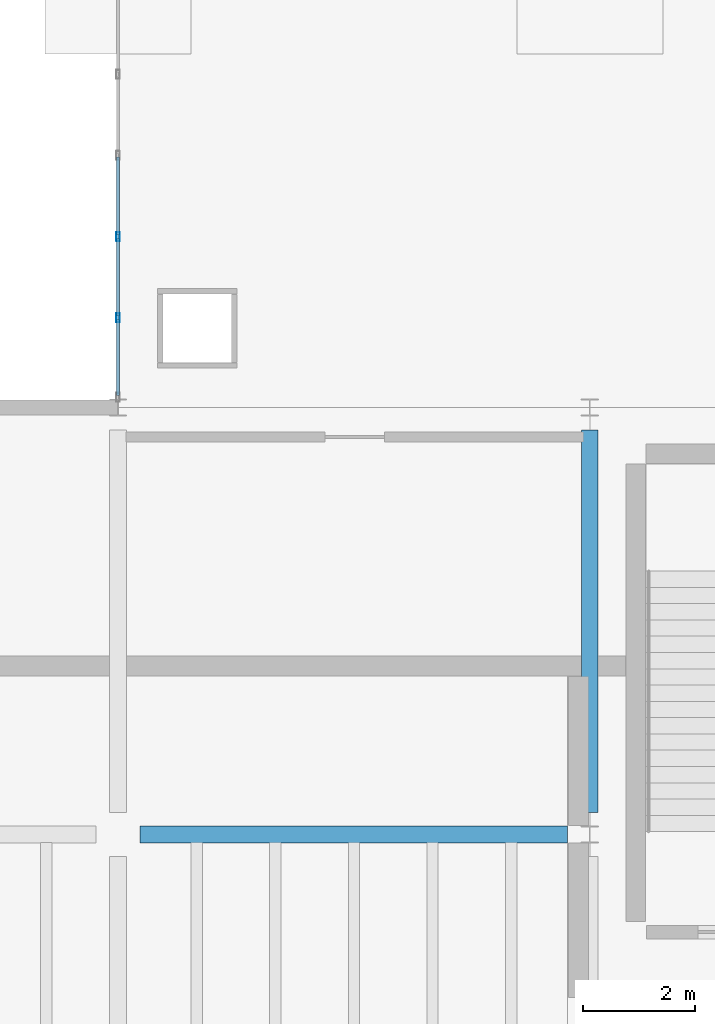
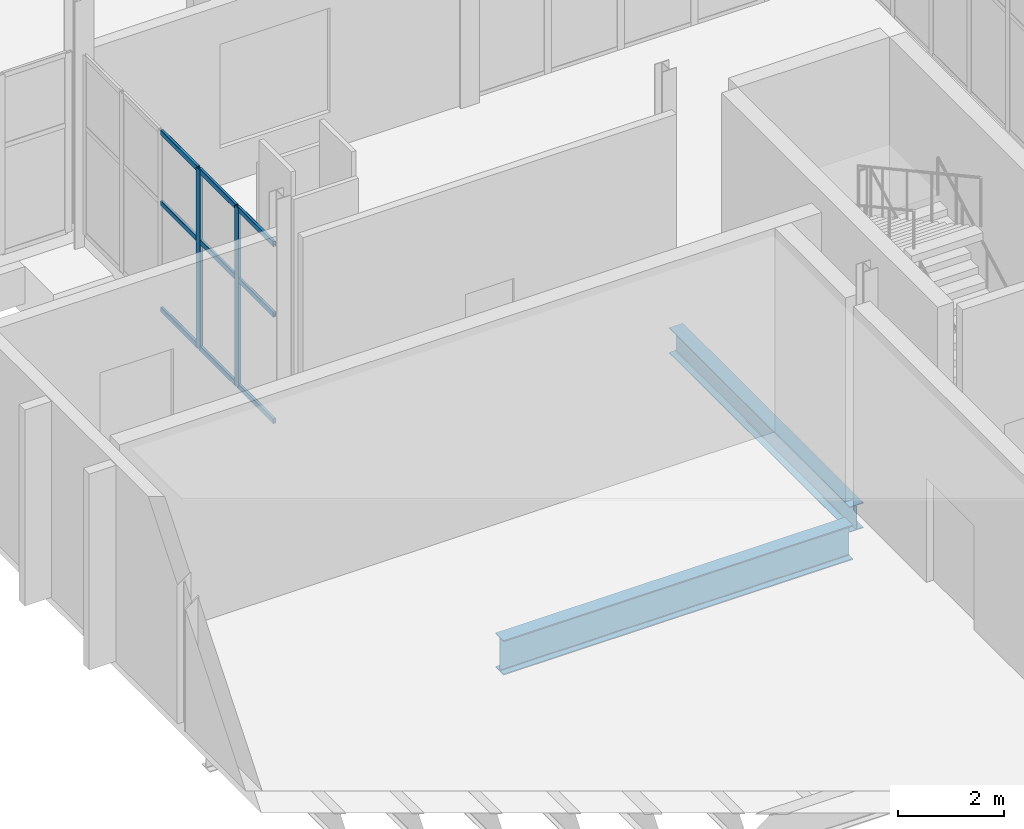
# One storey, part 23 of 95: 11 members, 2 beams, 1 element without a shape of its own.
"""IFC4 building model written with IfcOpenShell, lengths in metres."""

import ifcopenshell
import ifcopenshell.guid

model = None  # the IFC model being written
_history = None  # IfcOwnerHistory: only IFC2X3 demands one
_inside = {}  # id of a spatial element -> (the spatial element, [elements in it])
_under = {}  # id of a project, library or spatial element -> (it, [spatial elements below it])
_declared = {}  # id of a project -> (the project, [libraries it declares])
_typed = {}  # id of a type object -> (the type object, [elements of that type])
_made_of = {}  # id of a material, layer set ... -> (it, [elements and type objects made of it])


def new_model(schema):
    """Start an empty IFC model of exactly this schema.

    Asked for "IFC4X3", IfcOpenShell would pick the latest addendum, in which some entities
    have other attributes; the version numbers below select the first issue.
    IFC2X3 requires an IfcOwnerHistory on every rooted entity: one is made here for all.
    """
    global model, _history
    if schema == "IFC4X3":
        model = ifcopenshell.file(schema_version=(4, 3, 0, 0))
    else:
        model = ifcopenshell.file(schema=schema)
    _inside.clear()
    _under.clear()
    _declared.clear()
    _typed.clear()
    _made_of.clear()
    _history = None
    if model.schema == "IFC2X3":
        org = make("IfcOrganization", Name="unknown")
        user = make(
            "IfcPersonAndOrganization",
            ThePerson=make("IfcPerson", FamilyName="unknown"),
            TheOrganization=org,
        )
        app = make(
            "IfcApplication",
            ApplicationDeveloper=org,
            Version="unknown",
            ApplicationFullName="unknown",
            ApplicationIdentifier="unknown",
        )
        _history = make(
            "IfcOwnerHistory",
            OwningUser=user,
            OwningApplication=app,
            ChangeAction="ADDED",
            CreationDate=0,
        )
    return model


def make(cls, **values):
    """One entity of the class cls with the attributes given. An attribute that is None is left unset."""
    return model.create_entity(
        cls, **{name: value for name, value in values.items() if value is not None}
    )


def rooted(cls, **values):
    """An entity with a GlobalId (a new one), such as an element, a storey or a relation."""
    return make(cls, GlobalId=ifcopenshell.guid.new(), OwnerHistory=_history, **values)


def si_unit(unit_type, name, prefix=None):
    """IfcSIUnit, for example si_unit("LENGTHUNIT", "METRE", prefix="MILLI")."""
    return make("IfcSIUnit", UnitType=unit_type, Prefix=prefix, Name=name)


def assignment(units):
    """IfcUnitAssignment: the units of a project."""
    return None if units is None else make("IfcUnitAssignment", Units=units)


def point(xyz):
    """IfcCartesianPoint."""
    return None if xyz is None else make("IfcCartesianPoint", Coordinates=xyz)


def direction(xyz):
    """IfcDirection."""
    return None if xyz is None else make("IfcDirection", DirectionRatios=xyz)


def frame(location, z_axis=None, x_axis=None):
    """IfcAxis2Placement3D, a coordinate frame: its origin and axes. An axis left out is left unset."""
    return make(
        "IfcAxis2Placement3D",
        Location=point(location),
        Axis=direction(z_axis),
        RefDirection=direction(x_axis),
    )


def frame_2d(location, x_axis=None):
    """IfcAxis2Placement2D, a coordinate frame in the plane: its origin and x axis."""
    return make(
        "IfcAxis2Placement2D", Location=point(location), RefDirection=direction(x_axis)
    )


def origin():
    """The frame at (0, 0, 0) with its axes left unset."""
    return frame((0.0, 0.0, 0.0))


def origin_2d():
    """The frame at (0, 0) in the plane with its x axis left unset."""
    return frame_2d((0.0, 0.0))


def place(relative_to, where):
    """IfcLocalPlacement: puts the frame where relative to a parent placement (None: the world)."""
    return make(
        "IfcLocalPlacement", PlacementRelTo=relative_to, RelativePlacement=where
    )


def context(
    kind, dimensions, precision=None, world=None, true_north=None, identifier=None
):
    """IfcGeometricRepresentationContext, for example the 3D "Model" context."""
    return make(
        "IfcGeometricRepresentationContext",
        ContextIdentifier=identifier,
        ContextType=kind,
        CoordinateSpaceDimension=dimensions,
        Precision=precision,
        WorldCoordinateSystem=world,
        TrueNorth=true_north,
    )


def subcontext(parent, identifier, kind, view, scale=None):
    """IfcGeometricRepresentationSubContext, for example "Body" below "Model"."""
    return make(
        "IfcGeometricRepresentationSubContext",
        ContextIdentifier=identifier,
        ContextType=kind,
        ParentContext=parent,
        TargetScale=scale,
        TargetView=view,
    )


def project(units=None, contexts=None):
    """IfcProject with its units and contexts."""
    return rooted(
        "IfcProject",
        Name="project",
        RepresentationContexts=contexts,
        UnitsInContext=assignment(units),
    )


def spatial(cls, under=None, at=None, **own):
    """A site, building, storey or space (cls), placed at a placement, below another one or the project."""
    s = rooted(cls, ObjectPlacement=at, **own)
    if under is not None:
        _under.setdefault(under.id(), (under, []))[1].append(s)
    return s


def profile(cls, at=None, kind="AREA", **sizes):
    """A parametric profile (cls). Its sizes go by their IFC names, for example OverallWidth=200.0."""
    return make(cls, ProfileType=kind, Position=at, **sizes)


def hollow_rectangle(**sizes):
    """IfcRectangleHollowProfileDef."""
    return profile("IfcRectangleHollowProfileDef", **sizes)


def i_section(**sizes):
    """IfcIShapeProfileDef."""
    return profile("IfcIShapeProfileDef", **sizes)


def extrude(swept, where, along, depth):
    """IfcExtrudedAreaSolid: the profile swept, set in the frame where, extruded along a direction by depth."""
    return make(
        "IfcExtrudedAreaSolid",
        SweptArea=swept,
        Position=where,
        ExtrudedDirection=direction(along),
        Depth=depth,
    )


def shape(context_of_items, identifier, shape_type, items):
    """IfcShapeRepresentation: the items that make up one representation, for example the "Body"."""
    return make(
        "IfcShapeRepresentation",
        ContextOfItems=context_of_items,
        RepresentationIdentifier=identifier,
        RepresentationType=shape_type,
        Items=items,
    )


def material(Name=None, Category=None):
    """IfcMaterial."""
    return make("IfcMaterial", Name=Name, Category=Category)


def material_profile(
    of_material, cross_section, Name=None, Category=None, Priority=None
):
    """IfcMaterialProfile: a cross section and its material."""
    return make(
        "IfcMaterialProfile",
        Name=Name,
        Material=of_material,
        Profile=cross_section,
        Priority=Priority,
        Category=Category,
    )


def profile_set(profiles, Name=None, composite=None):
    """IfcMaterialProfileSet."""
    return make(
        "IfcMaterialProfileSet",
        Name=Name,
        MaterialProfiles=profiles,
        CompositeProfile=composite,
    )


def made_of(thing, what):
    """Note that an element or type object is made of a material, layer set ...; save() writes the relation."""
    if what is not None:
        _made_of.setdefault(what.id(), (what, []))[1].append(thing)
    return thing


def type_object(cls, material=None, **own):
    """A type object (cls), such as IfcWallType, which elements share."""
    return made_of(rooted(cls, **own), material)


def element(
    cls,
    number,
    at=None,
    inside=None,
    cuts=None,
    type_object=None,
    material=None,
    context=None,
    identifier="Body",
    shape_type=None,
    held_by="IfcProductDefinitionShape",
    body=None,
    shapes=None,
    **own,
):
    """One element of the class cls, such as IfcWall. Its Tag is "e" and its number.

    at: its placement. inside: the storey or other place that contains it. cuts: it is an
    opening in that element (IfcRelVoidsElement). A single representation is given by context,
    identifier, shape_type and body (its items); several are given by shapes. held_by: the class
    of the entity that holds the representations. save() writes the other relations.
    """
    e = rooted(cls, Tag="e%d" % number, ObjectPlacement=at, **own)
    if body is not None:
        shapes = [shape(context, identifier, shape_type, body)]
    if shapes is not None:
        e.Representation = make(held_by, Representations=shapes)
    if inside is not None:
        _inside.setdefault(inside.id(), (inside, []))[1].append(e)
    if cuts is not None:
        rooted(
            "IfcRelVoidsElement", RelatingBuildingElement=cuts, RelatedOpeningElement=e
        )
    if type_object is not None:
        _typed.setdefault(type_object.id(), (type_object, []))[1].append(e)
    return made_of(e, material)


def aggregate(whole, parts):
    """IfcRelAggregates: a whole, such as a stair, and the parts it consists of."""
    return rooted("IfcRelAggregates", RelatingObject=whole, RelatedObjects=parts)


def save(model, path):
    """Write the relations noted so far, then the file.

    IfcRelAggregates (storeys below a building ...), IfcRelContainedInSpatialStructure (elements
    in a storey), IfcRelDefinesByType, IfcRelAssociatesMaterial and IfcRelDeclares: one each for
    every whole, place, type object, material and project.
    """
    for whole, parts in _under.values():
        aggregate(whole, parts)
    for where, things in _inside.values():
        rooted(
            "IfcRelContainedInSpatialStructure",
            RelatedElements=things,
            RelatingStructure=where,
        )
    for kind, things in _typed.values():
        rooted("IfcRelDefinesByType", RelatedObjects=things, RelatingType=kind)
    for what, things in _made_of.values():
        rooted("IfcRelAssociatesMaterial", RelatedObjects=things, RelatingMaterial=what)
    for by, libraries in _declared.values():
        rooted("IfcRelDeclares", RelatingContext=by, RelatedDefinitions=libraries)
    model.write(path)


model = new_model("IFC4")

# Units and contexts
model_context = context("Model", 3, precision=1e-05, world=origin(), true_north=direction((0.0, 1.0)))
body_context = subcontext(model_context, "Body", "Model", "MODEL_VIEW")
ifc_project = project(units=[si_unit("LENGTHUNIT", "METRE"), si_unit("AREAUNIT", "SQUARE_METRE"), si_unit("VOLUMEUNIT", "CUBIC_METRE"), si_unit("PLANEANGLEUNIT", "RADIAN"), si_unit("MASSUNIT", "GRAM", prefix="KILO")], contexts=[model_context])

# Site, building, storey
site_placement = place(None, origin())
site = spatial("IfcSite", under=ifc_project, at=site_placement, CompositionType="ELEMENT")
building_placement = place(site_placement, origin())
building = spatial("IfcBuilding", under=site, at=building_placement, Name="Shengluoqiao Park Theatre", CompositionType="ELEMENT")
storey_placement = place(building_placement, origin())
storey = spatial("IfcBuildingStorey", under=building, at=storey_placement, Name="L00", CompositionType="ELEMENT", Elevation=0.0)

# Curtain wall, members
ifc_material_1 = material(Name="Aluminium 6063-T6", Category="aluminium")
curtain_wall_type = type_object("IfcCurtainWallType", Name="ENV-CW-COURT", PredefinedType="NOTDEFINED", material=ifc_material_1)
curtain_wall_placement = place(storey_placement, origin())
curtain_wall = element("IfcCurtainWall", 1, at=curtain_wall_placement, inside=storey, type_object=curtain_wall_type, Name="L00 Curtain Wall CWX-L00-0153", PredefinedType="NOTDEFINED")
ifc_material_profile_1 = material_profile(ifc_material_1, hollow_rectangle(XDim=0.06005859375, YDim=0.159912109375, WallThickness=0.00390625, InnerFilletRadius=0.00390625, OuterFilletRadius=0.008056640625, at=origin_2d()), Name="ALU MULLION 160x60x4")
ifc_profile_set_1 = profile_set([ifc_material_profile_1], Name="Aluminium 6063-T6")
member_type_1 = type_object("IfcMemberType", Name="ENV-MUL-160", PredefinedType="MULLION", material=ifc_profile_set_1)
member_1_placement = place(storey_placement, frame((19.199951171875, 24.399658203125, 0.0), z_axis=(0.0, 0.0, 1.0), x_axis=(-1.0, 0.0, 0.0)))
member_1 = element("IfcMember", 2, at=member_1_placement, type_object=member_type_1, Name="CW-05 mullion 2", PredefinedType="MULLION", context=body_context, shape_type="SweptSolid", body=[
    extrude(hollow_rectangle(XDim=0.06005859375, YDim=0.159912109375, WallThickness=0.00390625, InnerFilletRadius=0.00390625, OuterFilletRadius=0.008056640625, at=origin_2d()), origin(), (0.0, 0.0, 1.0), 4.137939453125),
])
member_2_placement = place(storey_placement, frame((19.199951171875, 25.84521484375, 0.0), z_axis=(0.0, 0.0, 1.0), x_axis=(-1.0, 0.0, 0.0)))
member_2 = element("IfcMember", 3, at=member_2_placement, type_object=member_type_1, Name="CW-05 mullion 3", PredefinedType="MULLION", context=body_context, shape_type="SweptSolid", body=[
    extrude(hollow_rectangle(XDim=0.06005859375, YDim=0.159912109375, WallThickness=0.00390625, InnerFilletRadius=0.00390625, OuterFilletRadius=0.008056640625, at=origin_2d()), origin(), (0.0, 0.0, 1.0), 4.137939453125),
])
ifc_material_profile_2 = material_profile(ifc_material_1, hollow_rectangle(XDim=0.06005859375, YDim=0.1201171875, WallThickness=0.00390625, InnerFilletRadius=0.00390625, OuterFilletRadius=0.008056640625, at=origin_2d()), Name="ALU TRANSOM 120x60x4")
ifc_profile_set_2 = profile_set([ifc_material_profile_2], Name="Aluminium 6063-T6")
member_type_2 = type_object("IfcMemberType", Name="ENV-TRN-120", PredefinedType="USERDEFINED", material=ifc_profile_set_2)
member_3_placement = place(storey_placement, frame((19.199951171875, 23.013916015625, 0.030029296875), z_axis=(0.0, 1.0, 0.0), x_axis=(-1.0, 0.0, 0.0)))
member_3 = element("IfcMember", 4, at=member_3_placement, type_object=member_type_2, Name="CW-05 transom 1.1", ObjectType="TRANSOM", PredefinedType="USERDEFINED", context=body_context, shape_type="SweptSolid", body=[
    extrude(hollow_rectangle(XDim=0.06005859375, YDim=0.1201171875, WallThickness=0.00390625, InnerFilletRadius=0.00390625, OuterFilletRadius=0.008056640625, at=origin_2d()), origin(), (0.0, 0.0, 1.0), 1.355712890625),
])
member_4_placement = place(storey_placement, frame((19.199951171875, 23.013916015625, 2.48291015625), z_axis=(0.0, 1.0, 0.0), x_axis=(-1.0, 0.0, 0.0)))
member_4 = element("IfcMember", 5, at=member_4_placement, type_object=member_type_2, Name="CW-05 transom 1.2", ObjectType="TRANSOM", PredefinedType="USERDEFINED", context=body_context, shape_type="SweptSolid", body=[
    extrude(hollow_rectangle(XDim=0.06005859375, YDim=0.1201171875, WallThickness=0.00390625, InnerFilletRadius=0.00390625, OuterFilletRadius=0.008056640625, at=origin_2d()), origin(), (0.0, 0.0, 1.0), 1.355712890625),
])
member_5_placement = place(storey_placement, frame((19.199951171875, 23.013916015625, 4.10791015625), z_axis=(0.0, 1.0, 0.0), x_axis=(-1.0, 0.0, 0.0)))
member_5 = element("IfcMember", 6, at=member_5_placement, type_object=member_type_2, Name="CW-05 transom 1.3", ObjectType="TRANSOM", PredefinedType="USERDEFINED", context=body_context, shape_type="SweptSolid", body=[
    extrude(hollow_rectangle(XDim=0.06005859375, YDim=0.1201171875, WallThickness=0.00390625, InnerFilletRadius=0.00390625, OuterFilletRadius=0.008056640625, at=origin_2d()), origin(), (0.0, 0.0, 1.0), 1.355712890625),
])
member_6_placement = place(storey_placement, frame((19.199951171875, 24.4296875, 0.030029296875), z_axis=(0.0, 1.0, 0.0), x_axis=(-1.0, 0.0, 0.0)))
member_6 = element("IfcMember", 7, at=member_6_placement, type_object=member_type_2, Name="CW-05 transom 2.1", ObjectType="TRANSOM", PredefinedType="USERDEFINED", context=body_context, shape_type="SweptSolid", body=[
    extrude(hollow_rectangle(XDim=0.06005859375, YDim=0.1201171875, WallThickness=0.00390625, InnerFilletRadius=0.00390625, OuterFilletRadius=0.008056640625, at=origin_2d()), origin(), (0.0, 0.0, 1.0), 1.385498046875),
])
member_7_placement = place(storey_placement, frame((19.199951171875, 24.4296875, 2.48291015625), z_axis=(0.0, 1.0, 0.0), x_axis=(-1.0, 0.0, 0.0)))
member_7 = element("IfcMember", 8, at=member_7_placement, type_object=member_type_2, Name="CW-05 transom 2.2", ObjectType="TRANSOM", PredefinedType="USERDEFINED", context=body_context, shape_type="SweptSolid", body=[
    extrude(hollow_rectangle(XDim=0.06005859375, YDim=0.1201171875, WallThickness=0.00390625, InnerFilletRadius=0.00390625, OuterFilletRadius=0.008056640625, at=origin_2d()), origin(), (0.0, 0.0, 1.0), 1.385498046875),
])
member_8_placement = place(storey_placement, frame((19.199951171875, 24.4296875, 4.10791015625), z_axis=(0.0, 1.0, 0.0), x_axis=(-1.0, 0.0, 0.0)))
member_8 = element("IfcMember", 9, at=member_8_placement, type_object=member_type_2, Name="CW-05 transom 2.3", ObjectType="TRANSOM", PredefinedType="USERDEFINED", context=body_context, shape_type="SweptSolid", body=[
    extrude(hollow_rectangle(XDim=0.06005859375, YDim=0.1201171875, WallThickness=0.00390625, InnerFilletRadius=0.00390625, OuterFilletRadius=0.008056640625, at=origin_2d()), origin(), (0.0, 0.0, 1.0), 1.385498046875),
])
member_9_placement = place(storey_placement, frame((19.199951171875, 25.875244140625, 0.030029296875), z_axis=(0.0, 1.0, 0.0), x_axis=(-1.0, 0.0, 0.0)))
member_9 = element("IfcMember", 10, at=member_9_placement, type_object=member_type_2, Name="CW-05 transom 3.1", ObjectType="TRANSOM", PredefinedType="USERDEFINED", context=body_context, shape_type="SweptSolid", body=[
    extrude(hollow_rectangle(XDim=0.06005859375, YDim=0.1201171875, WallThickness=0.00390625, InnerFilletRadius=0.00390625, OuterFilletRadius=0.008056640625, at=origin_2d()), origin(), (0.0, 0.0, 1.0), 1.385498046875),
])
member_10_placement = place(storey_placement, frame((19.199951171875, 25.875244140625, 2.48291015625), z_axis=(0.0, 1.0, 0.0), x_axis=(-1.0, 0.0, 0.0)))
member_10 = element("IfcMember", 11, at=member_10_placement, type_object=member_type_2, Name="CW-05 transom 3.2", ObjectType="TRANSOM", PredefinedType="USERDEFINED", context=body_context, shape_type="SweptSolid", body=[
    extrude(hollow_rectangle(XDim=0.06005859375, YDim=0.1201171875, WallThickness=0.00390625, InnerFilletRadius=0.00390625, OuterFilletRadius=0.008056640625, at=origin_2d()), origin(), (0.0, 0.0, 1.0), 1.385498046875),
])
member_11_placement = place(storey_placement, frame((19.199951171875, 25.875244140625, 4.10791015625), z_axis=(0.0, 1.0, 0.0), x_axis=(-1.0, 0.0, 0.0)))
member_11 = element("IfcMember", 12, at=member_11_placement, type_object=member_type_2, Name="CW-05 transom 3.3", ObjectType="TRANSOM", PredefinedType="USERDEFINED", context=body_context, shape_type="SweptSolid", body=[
    extrude(hollow_rectangle(XDim=0.06005859375, YDim=0.1201171875, WallThickness=0.00390625, InnerFilletRadius=0.00390625, OuterFilletRadius=0.008056640625, at=origin_2d()), origin(), (0.0, 0.0, 1.0), 1.385498046875),
])
aggregate(curtain_wall, [member_1, member_2, member_3, member_4, member_5, member_6, member_7, member_8, member_9, member_10, member_11])

# Beams
ifc_material_2 = material(Name="Steel Q355", Category="steel")
ifc_material_profile_3 = material_profile(ifc_material_2, i_section(OverallWidth=0.300048828125, OverallDepth=0.587890625, WebThickness=0.011962890625, FlangeThickness=0.02001953125, FilletRadius=0.02392578125, at=origin_2d()), Name="HM 588x300x12x20")
ifc_profile_set_3 = profile_set([ifc_material_profile_3], Name="Steel Q355")
beam_type_1 = type_object("IfcBeamType", Name="STR-BM-G-HM588", PredefinedType="BEAM", material=ifc_profile_set_3)
beam_1_placement = place(storey_placement, frame((27.60009765625, 15.593994140625, -0.634033203125), z_axis=(0.0, 1.0, 0.0), x_axis=(-1.0, 0.0, 0.0)))
element("IfcBeam", 13, at=beam_1_placement, inside=storey, type_object=beam_type_1, Name="L00 Transverse Girder 00200", PredefinedType="BEAM", context=body_context, shape_type="SweptSolid", body=[
    extrude(i_section(OverallWidth=0.300048828125, OverallDepth=0.587890625, WebThickness=0.011962890625, FlangeThickness=0.02001953125, FilletRadius=0.02392578125, at=origin_2d()), origin(), (0.0, 0.0, 1.0), 6.81201171875),
])
ifc_material_3 = material(Name="Steel Q390", Category="steel")
ifc_material_profile_4 = material_profile(ifc_material_3, i_section(OverallWidth=0.300048828125, OverallDepth=0.800048828125, WebThickness=0.013916015625, FlangeThickness=0.02587890625, FilletRadius=0.02587890625, at=origin_2d()), Name="HN 800x300x14x26")
ifc_profile_set_4 = profile_set([ifc_material_profile_4], Name="Steel Q390")
beam_type_2 = type_object("IfcBeamType", Name="STR-BM-G-HN800", PredefinedType="BEAM", material=ifc_profile_set_4)
beam_2_placement = place(storey_placement, frame((19.593994140625, 15.199951171875, -0.739990234375), z_axis=(1.0, 0.0, 0.0), x_axis=(0.0, 1.0, 0.0)))
element("IfcBeam", 14, at=beam_2_placement, inside=storey, type_object=beam_type_2, Name="L00 Primary Girder 00194", PredefinedType="BEAM", context=body_context, shape_type="SweptSolid", body=[
    extrude(i_section(OverallWidth=0.300048828125, OverallDepth=0.800048828125, WebThickness=0.013916015625, FlangeThickness=0.02587890625, FilletRadius=0.02587890625, at=origin_2d()), origin(), (0.0, 0.0, 1.0), 7.612060546875),
])

save(model, "model.ifc")
